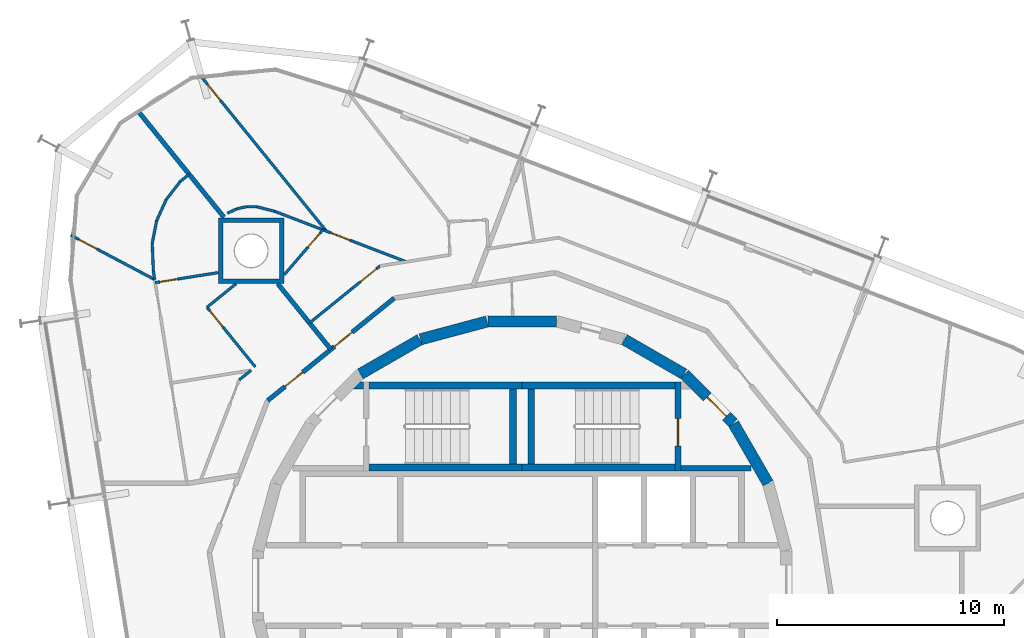
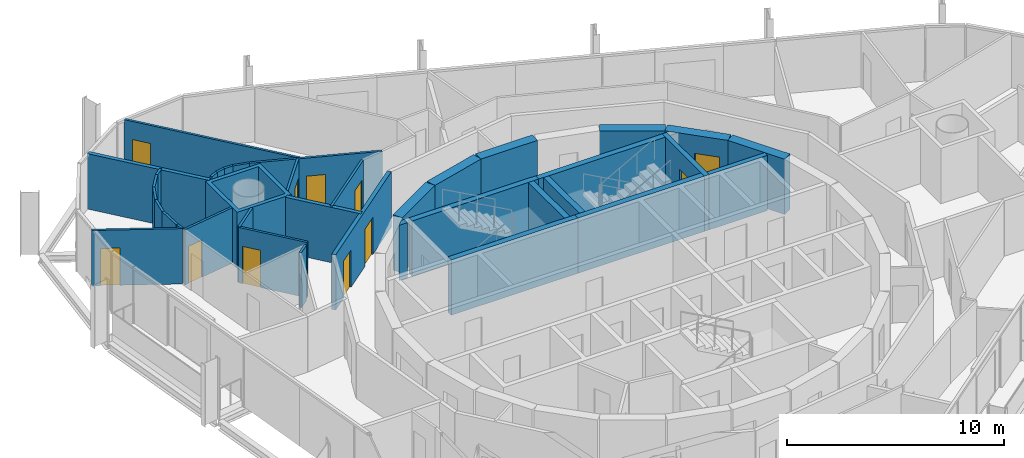
# One storey, part 15 of 18: 38 walls, 11 doors, 11 openings.
"""IFC4 building model written with IfcOpenShell, lengths in metres."""

from ifc_helpers import new_model, si_unit, direction, frame, frame_2d, origin, place, context, subcontext, project, spatial, polyline, rectangle, outline, extrude, material, layer, layer_set, type_object, element, fill, save


model = new_model("IFC4")

# Units and contexts
model_context = context("Model", 3, precision=1e-05, world=origin(), true_north=direction((0.0, 1.0)))
body_context = subcontext(model_context, "Body", "Model", "MODEL_VIEW")
ifc_project = project(units=[si_unit("LENGTHUNIT", "METRE"), si_unit("AREAUNIT", "SQUARE_METRE"), si_unit("VOLUMEUNIT", "CUBIC_METRE"), si_unit("PLANEANGLEUNIT", "RADIAN"), si_unit("MASSUNIT", "GRAM", prefix="KILO")], contexts=[model_context])

# Site, building, storey
site_placement = place(None, origin())
site = spatial("IfcSite", under=ifc_project, at=site_placement, CompositionType="ELEMENT")
building_placement = place(site_placement, origin())
building = spatial("IfcBuilding", under=site, at=building_placement, Name="Spindle Arch Residences", CompositionType="ELEMENT")
storey_placement = place(building_placement, frame((0.0, 0.0, 280.89990234375)))
storey = spatial("IfcBuildingStorey", under=building, at=storey_placement, Name="L72", CompositionType="ELEMENT", Elevation=280.89990234375)

# Wall
ifc_material_1 = material(Name="Concrete C50/60", Category="concrete")
ifc_layer_1 = layer(ifc_material_1, 0.5)
ifc_layer_set_1 = layer_set([ifc_layer_1], Name="Core outline wall 500")
wall_type_1 = type_object("IfcWallType", Name="Core outline wall 500", PredefinedType="SHEAR", material=ifc_layer_set_1)
wall_1_placement = place(storey_placement, frame((10.84521484375, 4.510498046875, 0.0), z_axis=(0.0, 0.0, 1.0), x_axis=(-0.500087131594, 0.865975092491, 0.0)))
element("IfcWall", 1, at=wall_1_placement, inside=storey, type_object=wall_type_1, Name="Core outline wall 8", PredefinedType="SHEAR", context=body_context, shape_type="SweptSolid", body=[
    extrude(rectangle(XDim=3.03271484375, YDim=0.5, at=frame_2d((1.516357421875, 0.0))), origin(), (0.0, 0.0, 1.0), 3.1201171875),
])

# Wall, opening, door
wall_2_placement = place(storey_placement, frame((9.30810546875, 7.163818359375, 0.0), z_axis=(0.0, 0.0, 1.0), x_axis=(-0.707106781187, 0.707106781187, 0.0)))
wall_2 = element("IfcWall", 2, at=wall_2_placement, inside=storey, type_object=wall_type_1, Name="Core outline wall 9", PredefinedType="SHEAR", context=body_context, shape_type="SweptSolid", body=[
    extrude(rectangle(XDim=3.032470703125, YDim=0.5, at=frame_2d((1.51611328125, 0.0))), origin(), (0.0, 0.0, 1.0), 3.1201171875),
])
opening_1_placement = place(wall_2_placement, frame((0.416259765625, 0.0, 0.0)))
opening_1 = element("IfcOpeningElement", 3, at=opening_1_placement, cuts=wall_2, Name="Opening R7B1-AD01", PredefinedType="OPENING", context=body_context, shape_type="SweptSolid", body=[
    extrude(rectangle(XDim=1.199951171875, YDim=2.10009765625, at=frame_2d((0.60009765625, 1.050048828125))), frame((0.0, 0.260009765625, 0.0), z_axis=(0.0, -1.0, 0.0), x_axis=(1.0, 0.0, 0.0)), (0.0, 0.0, 1.0), 0.52001953125),
])
ifc_material_2 = material(Name="Steel, fire-resisting door", Category="steel")
door_type_1 = type_object("IfcDoorType", Name="Stair airlock door 1200x2100", OperationType="SINGLE_SWING_LEFT", PredefinedType="DOOR", material=ifc_material_2)
door_1_placement = place(opening_1_placement, origin())
door_1 = element("IfcDoor", 4, at=door_1_placement, inside=storey, type_object=door_type_1, Name="Stair airlock door R7B1-AD01", OperationType="SINGLE_SWING_RIGHT", OverallHeight=2.10009765625, OverallWidth=1.199951171875, PredefinedType="DOOR", context=body_context, shape_type="SweptSolid", body=[
    extrude(rectangle(XDim=1.199951171875, YDim=2.10009765625, at=frame_2d((0.60009765625, 1.050048828125))), frame((0.0, 0.02490234375, 0.0), z_axis=(0.0, -1.0, 0.0), x_axis=(1.0, 0.0, 0.0)), (0.0, 0.0, 1.0), 0.050048828125),
])
fill(opening_1, door_1)

# Walls
for number, where, z_axis, x_axis, name in (
    (5, (7.13671875, 9.32861328125, 0.0), (0.0, 0.0, 1.0), (-0.865975092491, 0.500087131594, 0.0), "Core outline wall 10"),
    (6, (1.516357421875, 11.647216796875, 0.0), (0.0, 0.0, 1.0), (-1.0, 0.0, 0.0), "Core outline wall 12"),
    (7, (-1.5498046875, 11.642822265625, 0.0), (0.0, 0.0, 1.0), (-0.965948410781, -0.258734743916, 0.0), "Core outline wall 13"),
    (8, (-4.510498046875, 10.84521484375, 0.0), (0.0, 0.0, 1.0), (-0.865975092491, -0.500087131594, 0.0), "Core outline wall 14"),
):
    element("IfcWall", number, at=place(storey_placement, frame(where, z_axis=z_axis, x_axis=x_axis)), inside=storey, type_object=wall_type_1, Name=name, PredefinedType="SHEAR", context=body_context, shape_type="SweptSolid", body=[
        extrude(rectangle(XDim=3.03271484375, YDim=0.5, at=frame_2d((1.516357421875, 0.0))), origin(), (0.0, 0.0, 1.0), 3.1201171875),
    ])

# Wall, openings, doors
ifc_material_3 = material(Name="Calcium silicate block, plastered")
ifc_layer_2 = layer(ifc_material_3, 0.199951171875)
ifc_layer_set_2 = layer_set([ifc_layer_2], Name="Corridor wall 200")
wall_type_2 = type_object("IfcWallType", Name="Corridor wall 200", PredefinedType="STANDARD", material=ifc_layer_set_2)
wall_3_placement = place(storey_placement, frame((-5.642578125, 12.67333984375, 0.0), z_axis=(0.0, 0.0, 1.0), x_axis=(-0.777160148113, -0.629302871585, 0.0)))
wall_3 = element("IfcWall", 9, at=wall_3_placement, inside=storey, type_object=wall_type_2, Name="Corridor wall R7B1-W011", PredefinedType="STANDARD", context=body_context, shape_type="SweptSolid", body=[
    extrude(rectangle(XDim=7.180908203125, YDim=0.199951171875, at=frame_2d((3.59033203125, 0.0))), origin(), (0.0, 0.0, 1.0), 3.1201171875),
])
opening_2_placement = place(wall_3_placement, frame((2.390380859375, 0.0, 0.0)))
opening_2 = element("IfcOpeningElement", 10, at=opening_2_placement, cuts=wall_3, Name="Opening R7B1-FD02", PredefinedType="OPENING", context=body_context, shape_type="SweptSolid", body=[
    extrude(rectangle(XDim=1.0, YDim=2.10009765625, at=frame_2d((0.5, 1.050048828125))), frame((0.0, 0.10986328125, 0.0), z_axis=(0.0, -1.0, 0.0), x_axis=(1.0, 0.0, 0.0)), (0.0, 0.0, 1.0), 0.219970703125),
])
opening_3_placement = place(wall_3_placement, frame((5.191650390625, 0.0, 0.0)))
opening_3 = element("IfcOpeningElement", 11, at=opening_3_placement, cuts=wall_3, Name="Opening R7B1-FD03", PredefinedType="OPENING", context=body_context, shape_type="SweptSolid", body=[
    extrude(rectangle(XDim=1.0, YDim=2.10009765625, at=frame_2d((0.5, 1.050048828125))), frame((0.0, 0.10986328125, 0.0), z_axis=(0.0, -1.0, 0.0), x_axis=(1.0, 0.0, 0.0)), (0.0, 0.0, 1.0), 0.219970703125),
])
ifc_material_4 = material(Name="Timber, fire-resisting door set", Category="wood")
door_type_2 = type_object("IfcDoorType", Name="Flat entrance door 1000x2100", OperationType="NOTDEFINED", PredefinedType="DOOR", material=ifc_material_4)
door_2_placement = place(opening_2_placement, origin())
door_2 = element("IfcDoor", 12, at=door_2_placement, inside=storey, type_object=door_type_2, Name="Flat entrance door R7B1-FD02", OperationType="SINGLE_SWING_RIGHT", OverallHeight=2.10009765625, OverallWidth=1.0, PredefinedType="DOOR", context=body_context, shape_type="SweptSolid", body=[
    extrude(rectangle(XDim=1.0, YDim=2.10009765625, at=frame_2d((0.5, 1.050048828125))), frame((0.0, 0.02490234375, 0.0), z_axis=(0.0, -1.0, 0.0), x_axis=(1.0, 0.0, 0.0)), (0.0, 0.0, 1.0), 0.050048828125),
])
fill(opening_2, door_2)
door_3_placement = place(opening_3_placement, origin())
door_3 = element("IfcDoor", 13, at=door_3_placement, inside=storey, type_object=door_type_2, Name="Flat entrance door R7B1-FD03", OperationType="SINGLE_SWING_LEFT", OverallHeight=2.10009765625, OverallWidth=1.0, PredefinedType="DOOR", context=body_context, shape_type="SweptSolid", body=[
    extrude(rectangle(XDim=1.0, YDim=2.10009765625, at=frame_2d((0.5, 1.050048828125))), frame((0.0, 0.02490234375, 0.0), z_axis=(0.0, -1.0, 0.0), x_axis=(1.0, 0.0, 0.0)), (0.0, 0.0, 1.0), 0.050048828125),
])
fill(opening_3, door_3)

# Wall, opening, door
ifc_material_5 = material(Name="Plasterboard on steel studs", Category="steel")
ifc_layer_3 = layer(ifc_material_5, 0.1201171875)
ifc_layer_set_3 = layer_set([ifc_layer_3], Name="Flat partition 120")
wall_type_3 = type_object("IfcWallType", Name="Flat partition 120", PredefinedType="PARTITIONING", material=ifc_layer_set_3)
wall_4_placement = place(storey_placement, frame((-6.274169921875, 14.092041015625, 0.0), z_axis=(0.0, 0.0, 1.0), x_axis=(-0.777162268892, -0.629300252511, 0.0)))
wall_4 = element("IfcWall", 14, at=wall_4_placement, inside=storey, type_object=wall_type_3, Name="Flat partition R7B1-W045", PredefinedType="PARTITIONING", context=body_context, shape_type="SweptSolid", body=[
    extrude(rectangle(XDim=3.992431640625, YDim=0.1201171875, at=frame_2d((1.99609375, 0.0))), origin(), (0.0, 0.0, 1.0), 3.1201171875),
])
opening_4_placement = place(wall_4_placement, frame((0.199951171875, 0.0, 0.0)))
opening_4 = element("IfcOpeningElement", 15, at=opening_4_placement, cuts=wall_4, Name="Opening R7B1-ID07", PredefinedType="OPENING", context=body_context, shape_type="SweptSolid", body=[
    extrude(rectangle(XDim=0.89990234375, YDim=2.10009765625, at=frame_2d((0.449951171875, 1.050048828125))), frame((0.0, 0.070068359375, 0.0), z_axis=(0.0, -1.0, 0.0), x_axis=(1.0, 0.0, 0.0)), (0.0, 0.0, 1.0), 0.14013671875),
])
ifc_material_6 = material(Name="Timber door set", Category="wood")
door_type_3 = type_object("IfcDoorType", Name="Room door 900x2100", OperationType="NOTDEFINED", PredefinedType="DOOR", material=ifc_material_6)
door_4_placement = place(opening_4_placement, origin())
door_4 = element("IfcDoor", 16, at=door_4_placement, inside=storey, type_object=door_type_3, Name="Room door R7B1-ID07", OperationType="SINGLE_SWING_RIGHT", OverallHeight=2.10009765625, OverallWidth=0.89990234375, PredefinedType="DOOR", context=body_context, shape_type="SweptSolid", body=[
    extrude(rectangle(XDim=0.89990234375, YDim=2.10009765625, at=frame_2d((0.449951171875, 1.050048828125))), frame((0.0, 0.02490234375, 0.0), z_axis=(0.0, -1.0, 0.0), x_axis=(1.0, 0.0, 0.0)), (0.0, 0.0, 1.0), 0.050048828125),
])
fill(opening_4, door_4)

wall_5_placement = place(storey_placement, frame((-10.909912109375, 16.50244140625, 0.0), z_axis=(0.0, 0.0, 1.0), x_axis=(0.933584453869, -0.358357457707, 0.0)))
wall_5 = element("IfcWall", 17, at=wall_5_placement, inside=storey, type_object=wall_type_3, Name="Flat partition R7B1-W047", PredefinedType="PARTITIONING", context=body_context, shape_type="SweptSolid", body=[
    extrude(rectangle(XDim=6.2119140625, YDim=0.1201171875, at=frame_2d((3.10595703125, 0.0))), origin(), (0.0, 0.0, 1.0), 3.1201171875),
])
opening_5_placement = place(wall_5_placement, frame((2.657470703125, 0.0, 0.0)))
opening_5 = element("IfcOpeningElement", 18, at=opening_5_placement, cuts=wall_5, Name="Opening R7B1-ID09", PredefinedType="OPENING", context=body_context, shape_type="SweptSolid", body=[
    extrude(rectangle(XDim=0.89990234375, YDim=2.10009765625, at=frame_2d((0.449951171875, 1.050048828125))), frame((0.0, 0.070068359375, 0.0), z_axis=(0.0, -1.0, 0.0), x_axis=(1.0, 0.0, 0.0)), (0.0, 0.0, 1.0), 0.14013671875),
])
door_5_placement = place(opening_5_placement, origin())
door_5 = element("IfcDoor", 19, at=door_5_placement, inside=storey, type_object=door_type_3, Name="Room door R7B1-ID09", OperationType="SINGLE_SWING_LEFT", OverallHeight=2.10009765625, OverallWidth=0.89990234375, PredefinedType="DOOR", context=body_context, shape_type="SweptSolid", body=[
    extrude(rectangle(XDim=0.89990234375, YDim=2.10009765625, at=frame_2d((0.449951171875, 1.050048828125))), frame((0.0, 0.02490234375, 0.0), z_axis=(0.0, -1.0, 0.0), x_axis=(1.0, 0.0, 0.0)), (0.0, 0.0, 1.0), 0.050048828125),
])
fill(opening_5, door_5)

wall_6_placement = place(storey_placement, frame((-14.1318359375, 22.417724609375, 0.0), z_axis=(0.0, 0.0, 1.0), x_axis=(0.629309172704, -0.77715504576, 0.0)))
wall_6 = element("IfcWall", 20, at=wall_6_placement, inside=storey, type_object=wall_type_3, Name="Flat partition R7B1-W048", PredefinedType="PARTITIONING", context=body_context, shape_type="SweptSolid", body=[
    extrude(rectangle(XDim=8.735595703125, YDim=0.1201171875, at=frame_2d((4.36767578125, 0.0))), origin(), (0.0, 0.0, 1.0), 3.1201171875),
])
opening_6_placement = place(wall_6_placement, frame((0.39990234375, 0.0, 0.0)))
opening_6 = element("IfcOpeningElement", 21, at=opening_6_placement, cuts=wall_6, Name="Opening R7B1-ID08", PredefinedType="OPENING", context=body_context, shape_type="SweptSolid", body=[
    extrude(rectangle(XDim=0.89990234375, YDim=2.10009765625, at=frame_2d((0.449951171875, 1.050048828125))), frame((0.0, 0.070068359375, 0.0), z_axis=(0.0, -1.0, 0.0), x_axis=(1.0, 0.0, 0.0)), (0.0, 0.0, 1.0), 0.14013671875),
])
door_6_placement = place(opening_6_placement, origin())
door_6 = element("IfcDoor", 22, at=door_6_placement, inside=storey, type_object=door_type_3, Name="Room door R7B1-ID08", OperationType="SINGLE_SWING_RIGHT", OverallHeight=2.10009765625, OverallWidth=0.89990234375, PredefinedType="DOOR", context=body_context, shape_type="SweptSolid", body=[
    extrude(rectangle(XDim=0.89990234375, YDim=2.10009765625, at=frame_2d((0.449951171875, 1.050048828125))), frame((0.0, 0.02490234375, 0.0), z_axis=(0.0, -1.0, 0.0), x_axis=(1.0, 0.0, 0.0)), (0.0, 0.0, 1.0), 0.050048828125),
])
fill(opening_6, door_6)

wall_7_placement = place(storey_placement, frame((-8.788330078125, 15.68798828125, 0.0), z_axis=(0.0, 0.0, 1.0), x_axis=(-0.652090514391, -0.758141122115, 0.0)))
wall_7 = element("IfcWall", 23, at=wall_7_placement, inside=storey, type_object=wall_type_3, Name="Flat partition R7B1-W049", PredefinedType="PARTITIONING", context=body_context, shape_type="SweptSolid", body=[
    extrude(rectangle(XDim=2.62890625, YDim=0.1201171875, at=frame_2d((1.314453125, 0.0))), origin(), (0.0, 0.0, 1.0), 3.1201171875),
])
opening_7_placement = place(wall_7_placement, frame((0.199951171875, 0.0, 0.0)))
opening_7 = element("IfcOpeningElement", 24, at=opening_7_placement, cuts=wall_7, Name="Opening R7B1-BD02", PredefinedType="OPENING", context=body_context, shape_type="SweptSolid", body=[
    extrude(rectangle(XDim=0.800048828125, YDim=2.10009765625, at=frame_2d((0.39990234375, 1.050048828125))), frame((0.0, 0.070068359375, 0.0), z_axis=(0.0, -1.0, 0.0), x_axis=(1.0, 0.0, 0.0)), (0.0, 0.0, 1.0), 0.14013671875),
])
ifc_material_7 = material(Name="Timber door set", Category="wood")
door_type_4 = type_object("IfcDoorType", Name="Bathroom door 800x2100", OperationType="NOTDEFINED", PredefinedType="DOOR", material=ifc_material_7)
door_7_placement = place(opening_7_placement, origin())
door_7 = element("IfcDoor", 25, at=door_7_placement, inside=storey, type_object=door_type_4, Name="Bathroom door R7B1-BD02", OperationType="SINGLE_SWING_RIGHT", OverallHeight=2.10009765625, OverallWidth=0.800048828125, PredefinedType="DOOR", context=body_context, shape_type="SweptSolid", body=[
    extrude(rectangle(XDim=0.800048828125, YDim=2.10009765625, at=frame_2d((0.39990234375, 1.050048828125))), frame((0.0, 0.02490234375, 0.0), z_axis=(0.0, -1.0, 0.0), x_axis=(1.0, 0.0, 0.0)), (0.0, 0.0, 1.0), 0.050048828125),
])
fill(opening_7, door_7)

# Walls
wall_8_placement = place(storey_placement, frame((-10.909912109375, 16.50244140625, 0.0), z_axis=(0.0, 0.0, 1.0), x_axis=(-0.96886520615, 0.247588796823, 0.0)))
element("IfcWall", 26, at=wall_8_placement, inside=storey, type_object=wall_type_3, Name="Flat partition R7B1-W050", PredefinedType="PARTITIONING", context=body_context, shape_type="SweptSolid", body=[
    extrude(rectangle(XDim=0.806640625, YDim=0.1201171875, at=frame_2d((0.4033203125, 0.0))), origin(), (0.0, 0.0, 1.0), 3.1201171875),
])
wall_9_placement = place(storey_placement, frame((-11.69140625, 16.7021484375, 0.0), z_axis=(0.0, 0.0, 1.0), x_axis=(-0.999843155249, 0.017710587291, 0.0)))
element("IfcWall", 27, at=wall_9_placement, inside=storey, type_object=wall_type_3, Name="Flat partition R7B1-W051", PredefinedType="PARTITIONING", context=body_context, shape_type="SweptSolid", body=[
    extrude(rectangle(XDim=0.454833984375, YDim=0.1201171875, at=frame_2d((0.2275390625, 0.0))), origin(), (0.0, 0.0, 1.0), 3.1201171875),
])
wall_10_placement = place(storey_placement, frame((-12.146240234375, 16.710205078125, 0.0), z_axis=(0.0, 0.0, 1.0), x_axis=(-0.976826470165, -0.21403281801, 0.0)))
element("IfcWall", 28, at=wall_10_placement, inside=storey, type_object=wall_type_3, Name="Flat partition R7B1-W052", PredefinedType="PARTITIONING", context=body_context, shape_type="SweptSolid", body=[
    extrude(rectangle(XDim=0.455078125, YDim=0.1201171875, at=frame_2d((0.2275390625, 0.0))), origin(), (0.0, 0.0, 1.0), 3.1201171875),
])
wall_11_placement = place(storey_placement, frame((-12.5908203125, 16.61279296875, 0.0), z_axis=(0.0, 0.0, 1.0), x_axis=(-0.901405666701, -0.432975546699, 0.0)))
element("IfcWall", 29, at=wall_11_placement, inside=storey, type_object=wall_type_3, Name="Flat partition R7B1-W053", PredefinedType="PARTITIONING", context=body_context, shape_type="SweptSolid", body=[
    extrude(rectangle(XDim=0.45458984375, YDim=0.1201171875, at=frame_2d((0.227294921875, 0.0))), origin(), (0.0, 0.0, 1.0), 3.1201171875),
])
wall_12_placement = place(storey_placement, frame((-12.616455078125, 13.310546875, 0.0), z_axis=(0.0, 0.0, 1.0), x_axis=(-0.7771657422, -0.629295963082, 0.0)))
element("IfcWall", 30, at=wall_12_placement, inside=storey, type_object=wall_type_3, Name="Flat partition R7B1-W054", PredefinedType="PARTITIONING", context=body_context, shape_type="SweptSolid", body=[
    extrude(rectangle(XDim=1.652587890625, YDim=0.1201171875, at=frame_2d((0.826171875, 0.0))), origin(), (0.0, 0.0, 1.0), 3.1201171875),
])

# Wall, opening, door
wall_13_placement = place(storey_placement, frame((-13.90087890625, 12.2705078125, 0.0), z_axis=(0.0, 0.0, 1.0), x_axis=(0.62932066967, -0.777145735835, 0.0)))
wall_13 = element("IfcWall", 31, at=wall_13_placement, inside=storey, type_object=wall_type_3, Name="Flat partition R7B1-W055", PredefinedType="PARTITIONING", context=body_context, shape_type="SweptSolid", body=[
    extrude(rectangle(XDim=3.384033203125, YDim=0.1201171875, at=frame_2d((1.69189453125, 0.0))), origin(), (0.0, 0.0, 1.0), 3.1201171875),
])
opening_8_placement = place(wall_13_placement, frame((0.199951171875, 0.0, 0.0)))
opening_8 = element("IfcOpeningElement", 32, at=opening_8_placement, cuts=wall_13, Name="Opening R7B1-ID10", PredefinedType="OPENING", context=body_context, shape_type="SweptSolid", body=[
    extrude(rectangle(XDim=0.89990234375, YDim=2.10009765625, at=frame_2d((0.449951171875, 1.050048828125))), frame((0.0, 0.070068359375, 0.0), z_axis=(0.0, -1.0, 0.0), x_axis=(1.0, 0.0, 0.0)), (0.0, 0.0, 1.0), 0.14013671875),
])
door_8_placement = place(opening_8_placement, origin())
door_8 = element("IfcDoor", 33, at=door_8_placement, inside=storey, type_object=door_type_3, Name="Room door R7B1-ID10", OperationType="SINGLE_SWING_LEFT", OverallHeight=2.10009765625, OverallWidth=0.89990234375, PredefinedType="DOOR", context=body_context, shape_type="SweptSolid", body=[
    extrude(rectangle(XDim=0.89990234375, YDim=2.10009765625, at=frame_2d((0.449951171875, 1.050048828125))), frame((0.0, 0.02490234375, 0.0), z_axis=(0.0, -1.0, 0.0), x_axis=(1.0, 0.0, 0.0)), (0.0, 0.0, 1.0), 0.050048828125),
])
fill(opening_8, door_8)

# Walls
wall_14_placement = place(storey_placement, frame((-11.960205078125, 9.4873046875, 0.0), z_axis=(0.0, 0.0, 1.0), x_axis=(-0.777219341678, -0.62922976322, 0.0)))
element("IfcWall", 34, at=wall_14_placement, inside=storey, type_object=wall_type_3, Name="Flat partition R7B1-W056", PredefinedType="PARTITIONING", context=body_context, shape_type="SweptSolid", body=[
    extrude(rectangle(XDim=0.668212890625, YDim=0.1201171875, at=frame_2d((0.333984375, 0.0))), origin(), (0.0, 0.0, 1.0), 3.1201171875),
])
wall_15_placement = place(storey_placement, frame((-14.687744140625, 18.137939453125, 0.0), z_axis=(0.0, 0.0, 1.0), x_axis=(-0.777009819755, -0.629488474879, 0.0)))
element("IfcWall", 35, at=wall_15_placement, inside=storey, type_object=wall_type_3, Name="Flat partition R7B1-W058", PredefinedType="PARTITIONING", context=body_context, shape_type="SweptSolid", body=[
    extrude(rectangle(XDim=0.508056640625, YDim=0.1201171875, at=frame_2d((0.25390625, 0.0))), origin(), (0.0, 0.0, 1.0), 3.1201171875),
])
wall_16_placement = place(storey_placement, frame((-15.08251953125, 17.818115234375, 0.0), z_axis=(0.0, 0.0, 1.0), x_axis=(-0.611091802574, -0.791559731686, 0.0)))
element("IfcWall", 36, at=wall_16_placement, inside=storey, type_object=wall_type_3, Name="Flat partition R7B1-W059", PredefinedType="PARTITIONING", context=body_context, shape_type="SweptSolid", body=[
    extrude(rectangle(XDim=1.015869140625, YDim=0.1201171875, at=frame_2d((0.5078125, 0.0))), origin(), (0.0, 0.0, 1.0), 3.1201171875),
])
wall_17_placement = place(storey_placement, frame((-15.703369140625, 17.013916015625, 0.0), z_axis=(0.0, 0.0, 1.0), x_axis=(-0.411973085874, -0.911196014322, 0.0)))
element("IfcWall", 37, at=wall_17_placement, inside=storey, type_object=wall_type_3, Name="Flat partition R7B1-W060", PredefinedType="PARTITIONING", context=body_context, shape_type="SweptSolid", body=[
    extrude(rectangle(XDim=1.015625, YDim=0.1201171875, at=frame_2d((0.5078125, 0.0))), origin(), (0.0, 0.0, 1.0), 3.1201171875),
])
wall_18_placement = place(storey_placement, frame((-16.121826171875, 16.08837890625, 0.0), z_axis=(0.0, 0.0, 1.0), x_axis=(-0.191030445301, -0.981584112019, 0.0)))
element("IfcWall", 38, at=wall_18_placement, inside=storey, type_object=wall_type_3, Name="Flat partition R7B1-W061", PredefinedType="PARTITIONING", context=body_context, shape_type="SweptSolid", body=[
    extrude(rectangle(XDim=1.01611328125, YDim=0.1201171875, at=frame_2d((0.508056640625, 0.0))), origin(), (0.0, 0.0, 1.0), 3.1201171875),
])
wall_19_placement = place(storey_placement, frame((-16.31591796875, 15.091064453125, 0.0), z_axis=(0.0, 0.0, 1.0), x_axis=(0.040786423131, -0.999167887639, 0.0)))
element("IfcWall", 39, at=wall_19_placement, inside=storey, type_object=wall_type_3, Name="Flat partition R7B1-W062", PredefinedType="PARTITIONING", context=body_context, shape_type="SweptSolid", body=[
    extrude(rectangle(XDim=1.22705078125, YDim=0.1201171875, at=frame_2d((0.613525390625, 0.0))), origin(), (0.0, 0.0, 1.0), 3.1201171875),
])
wall_20_placement = place(storey_placement, frame((-16.265869140625, 13.864990234375, 0.0), z_axis=(0.0, 0.0, 1.0), x_axis=(0.156757556272, -0.987637113798, 0.0)))
element("IfcWall", 40, at=wall_20_placement, inside=storey, type_object=wall_type_3, Name="Flat partition R7B1-W063", PredefinedType="PARTITIONING", context=body_context, shape_type="SweptSolid", body=[
    extrude(rectangle(XDim=0.37841796875, YDim=0.1201171875, at=frame_2d((0.189208984375, 0.0))), origin(), (0.0, 0.0, 1.0), 3.1201171875),
])

# Wall, opening, door
wall_21_placement = place(storey_placement, frame((-16.185791015625, 13.359375, 0.0), z_axis=(0.0, 0.0, 1.0), x_axis=(0.987680631298, 0.156483131865, 0.0)))
wall_21 = element("IfcWall", 41, at=wall_21_placement, inside=storey, type_object=wall_type_3, Name="Flat partition R7B1-W064", PredefinedType="PARTITIONING", context=body_context, shape_type="SweptSolid", body=[
    extrude(rectangle(XDim=2.817626953125, YDim=0.1201171875, at=frame_2d((1.40869140625, 0.0))), origin(), (0.0, 0.0, 1.0), 3.1201171875),
])
opening_9_placement = place(wall_21_placement, frame((0.199951171875, 0.0, 0.0)))
opening_9 = element("IfcOpeningElement", 42, at=opening_9_placement, cuts=wall_21, Name="Opening R7B1-BD03", PredefinedType="OPENING", context=body_context, shape_type="SweptSolid", body=[
    extrude(rectangle(XDim=0.800048828125, YDim=2.10009765625, at=frame_2d((0.39990234375, 1.050048828125))), frame((0.0, 0.070068359375, 0.0), z_axis=(0.0, -1.0, 0.0), x_axis=(1.0, 0.0, 0.0)), (0.0, 0.0, 1.0), 0.14013671875),
])
door_9_placement = place(opening_9_placement, origin())
door_9 = element("IfcDoor", 43, at=door_9_placement, inside=storey, type_object=door_type_4, Name="Bathroom door R7B1-BD03", OperationType="SINGLE_SWING_LEFT", OverallHeight=2.10009765625, OverallWidth=0.800048828125, PredefinedType="DOOR", context=body_context, shape_type="SweptSolid", body=[
    extrude(rectangle(XDim=0.800048828125, YDim=2.10009765625, at=frame_2d((0.39990234375, 1.050048828125))), frame((0.0, 0.02490234375, 0.0), z_axis=(0.0, -1.0, 0.0), x_axis=(1.0, 0.0, 0.0)), (0.0, 0.0, 1.0), 0.050048828125),
])
fill(opening_9, door_9)

wall_22_placement = place(storey_placement, frame((-19.91259765625, 15.45361328125, 0.0), z_axis=(0.0, 0.0, 1.0), x_axis=(0.883751094582, -0.467957266024, 0.0)))
wall_22 = element("IfcWall", 44, at=wall_22_placement, inside=storey, type_object=wall_type_3, Name="Flat partition R7B1-W065", PredefinedType="PARTITIONING", context=body_context, shape_type="SweptSolid", body=[
    extrude(rectangle(XDim=4.193603515625, YDim=0.1201171875, at=frame_2d((2.0966796875, 0.0))), origin(), (0.0, 0.0, 1.0), 3.1201171875),
])
opening_10_placement = place(wall_22_placement, frame((0.39990234375, 0.0, 0.0)))
opening_10 = element("IfcOpeningElement", 45, at=opening_10_placement, cuts=wall_22, Name="Opening R7B1-ID13", PredefinedType="OPENING", context=body_context, shape_type="SweptSolid", body=[
    extrude(rectangle(XDim=0.89990234375, YDim=2.10009765625, at=frame_2d((0.449951171875, 1.050048828125))), frame((0.0, 0.070068359375, 0.0), z_axis=(0.0, -1.0, 0.0), x_axis=(1.0, 0.0, 0.0)), (0.0, 0.0, 1.0), 0.14013671875),
])
door_10_placement = place(opening_10_placement, origin())
door_10 = element("IfcDoor", 46, at=door_10_placement, inside=storey, type_object=door_type_3, Name="Room door R7B1-ID13", OperationType="SINGLE_SWING_LEFT", OverallHeight=2.10009765625, OverallWidth=0.89990234375, PredefinedType="DOOR", context=body_context, shape_type="SweptSolid", body=[
    extrude(rectangle(XDim=0.89990234375, YDim=2.10009765625, at=frame_2d((0.449951171875, 1.050048828125))), frame((0.0, 0.02490234375, 0.0), z_axis=(0.0, -1.0, 0.0), x_axis=(1.0, 0.0, 0.0)), (0.0, 0.0, 1.0), 0.050048828125),
])
fill(opening_10, door_10)

# Walls
ifc_material_8 = material(Name="Calcium silicate block, plastered")
ifc_layer_4 = layer(ifc_material_8, 0.199951171875)
ifc_layer_set_4 = layer_set([ifc_layer_4], Name="Flat party wall 200")
wall_type_4 = type_object("IfcWallType", Name="Flat party wall 200", PredefinedType="STANDARD", material=ifc_layer_set_4)
wall_23_placement = place(storey_placement, frame((-10.779296875, 13.309814453125, 0.0), z_axis=(0.0, 0.0, 1.0), x_axis=(0.62931692753, -0.777148766147, 0.0)))
element("IfcWall", 47, at=wall_23_placement, inside=storey, type_object=wall_type_4, Name="Flat party wall R7B1-W025", PredefinedType="STANDARD", context=body_context, shape_type="SweptSolid", body=[
    extrude(rectangle(XDim=3.727294921875, YDim=0.199951171875, at=frame_2d((1.86376953125, 0.0))), origin(), (0.0, 0.0, 1.0), 3.1201171875),
])
wall_24_placement = place(storey_placement, frame((-16.953369140625, 20.935546875, 0.0), z_axis=(0.0, 0.0, 1.0), x_axis=(0.629347053134, -0.77712437017, 0.0)))
element("IfcWall", 48, at=wall_24_placement, inside=storey, type_object=wall_type_4, Name="Flat party wall R7B1-W026", PredefinedType="STANDARD", context=body_context, shape_type="SweptSolid", body=[
    extrude(rectangle(XDim=6.0400390625, YDim=0.199951171875, at=frame_2d((3.02001953125, 0.0))), origin(), (0.0, 0.0, 1.0), 3.1201171875),
])
ifc_material_9 = material(Name="Calcium silicate block, plastered")
ifc_layer_5 = layer(ifc_material_9, 0.199951171875)
ifc_layer_set_5 = layer_set([ifc_layer_5], Name="Mega-column casing wall 200")
wall_type_5 = type_object("IfcWallType", Name="Mega-column casing wall 200", PredefinedType="STANDARD", material=ifc_layer_set_5)
wall_25_placement = place(storey_placement, origin())
element("IfcWall", 49, at=wall_25_placement, inside=storey, type_object=wall_type_5, Name="Mega-column casing wall R7B1-WC02", PredefinedType="STANDARD", context=body_context, shape_type="SweptSolid", body=[
    extrude(outline(polyline([(-10.502685546875, 16.21044921875), (-10.502685546875, 13.310546875), (-13.40283203125, 13.310546875), (-13.40283203125, 16.21044921875), (-10.502685546875, 16.21044921875)]), holes=[polyline([(-13.202880859375, 13.510498046875), (-10.702880859375, 13.510498046875), (-10.702880859375, 16.010498046875), (-13.202880859375, 16.010498046875), (-13.202880859375, 13.510498046875)])]), origin(), (0.0, 0.0, 1.0), 3.1201171875),
])
ifc_material_10 = material(Name="Concrete C40/50", Category="concrete")
ifc_layer_6 = layer(ifc_material_10, 0.25)
ifc_layer_set_6 = layer_set([ifc_layer_6], Name="Stair airlock wall 250")
wall_type_6 = type_object("IfcWallType", Name="Stair airlock wall 250", PredefinedType="SHEAR", material=ifc_layer_set_6)
wall_26_placement = place(storey_placement, frame((7.0, 5.175048828125, 0.0), z_axis=(0.0, 0.0, 1.0), x_axis=(1.0, 0.0, 0.0)))
element("IfcWall", 50, at=wall_26_placement, inside=storey, type_object=wall_type_6, Name="Stair ST-1 airlock wall S", PredefinedType="SHEAR", context=body_context, shape_type="SweptSolid", body=[
    extrude(rectangle(XDim=3.10009765625, YDim=0.25, at=frame_2d((1.550048828125, 0.0))), origin(), (0.0, 0.0, 1.0), 3.1201171875),
])
ifc_material_11 = material(Name="Concrete C40/50", Category="concrete")
wall_type_7 = type_object("IfcWallType", Name="Stair airlock wall profile", PredefinedType="SHEAR", material=ifc_material_11)
wall_27_placement = place(storey_placement, origin())
element("IfcWall", 51, at=wall_27_placement, inside=storey, type_object=wall_type_7, Name="Stair ST-2 airlock wall N", PredefinedType="SHEAR", context=body_context, shape_type="SweptSolid", body=[
    extrude(outline(polyline([(-7.148193359375, 8.969970703125), (-7.0, 8.969970703125), (-7.0, 8.669921875), (-7.4482421875, 8.669921875), (-7.148193359375, 8.969970703125)])), origin(), (0.0, 0.0, 1.0), 3.1201171875),
])

# Wall, opening, door
ifc_material_12 = material(Name="Concrete C50/60", Category="concrete")
ifc_layer_7 = layer(ifc_material_12, 0.25)
ifc_layer_set_7 = layer_set([ifc_layer_7], Name="Stair enclosure wall 250")
wall_type_8 = type_object("IfcWallType", Name="Stair enclosure wall 250", PredefinedType="SHEAR", material=ifc_layer_set_7)
wall_28_placement = place(storey_placement, frame((6.875, 5.050048828125, 0.0), z_axis=(0.0, 0.0, 1.0), x_axis=(0.0, 1.0, 0.0)))
wall_28 = element("IfcWall", 52, at=wall_28_placement, inside=storey, type_object=wall_type_8, Name="Stair ST-1 door wall", PredefinedType="SHEAR", context=body_context, shape_type="SweptSolid", body=[
    extrude(rectangle(XDim=3.919921875, YDim=0.25, at=frame_2d((1.9599609375, 0.0))), origin(), (0.0, 0.0, 1.0), 3.1201171875),
])
opening_11_placement = place(wall_28_placement, frame((1.110107421875, 0.0, 0.0)))
opening_11 = element("IfcOpeningElement", 53, at=opening_11_placement, cuts=wall_28, Name="Opening R7B1-SD01", PredefinedType="OPENING", context=body_context, shape_type="SweptSolid", body=[
    extrude(rectangle(XDim=1.199951171875, YDim=2.10009765625, at=frame_2d((0.60009765625, 1.050048828125))), frame((0.0, 0.135009765625, 0.0), z_axis=(0.0, -1.0, 0.0), x_axis=(1.0, 0.0, 0.0)), (0.0, 0.0, 1.0), 0.27001953125),
])
ifc_material_13 = material(Name="Steel, fire-resisting door", Category="steel")
door_type_5 = type_object("IfcDoorType", Name="Stair door 1200x2100", OperationType="SINGLE_SWING_RIGHT", PredefinedType="DOOR", material=ifc_material_13)
door_11_placement = place(opening_11_placement, origin())
door_11 = element("IfcDoor", 54, at=door_11_placement, inside=storey, type_object=door_type_5, Name="Stair door R7B1-SD01", OperationType="SINGLE_SWING_LEFT", OverallHeight=2.10009765625, OverallWidth=1.199951171875, PredefinedType="DOOR", context=body_context, shape_type="SweptSolid", body=[
    extrude(rectangle(XDim=1.199951171875, YDim=2.10009765625, at=frame_2d((0.60009765625, 1.050048828125))), frame((0.0, 0.02490234375, 0.0), z_axis=(0.0, -1.0, 0.0), x_axis=(1.0, 0.0, 0.0)), (0.0, 0.0, 1.0), 0.050048828125),
])
fill(opening_11, door_11)

# Walls
ifc_material_14 = material(Name="Concrete C50/60", Category="concrete")
ifc_layer_8 = layer(ifc_material_14, 0.300048828125)
ifc_layer_set_8 = layer_set([ifc_layer_8], Name="Stair enclosure wall 300")
wall_type_9 = type_object("IfcWallType", Name="Stair enclosure wall 300", PredefinedType="SHEAR", material=ifc_layer_set_8)
for number, where, z_axis, x_axis, name in (
    (55, (0.0, 5.199951171875, 0.0), (0.0, 0.0, 1.0), (1.0, 0.0, 0.0), "Stair ST-1 enclosure wall S"),
    (56, (0.0, 8.820068359375, 0.0), (0.0, 0.0, 1.0), (1.0, 0.0, 0.0), "Stair ST-1 enclosure wall N"),
):
    element("IfcWall", number, at=place(storey_placement, frame(where, z_axis=z_axis, x_axis=x_axis)), inside=storey, type_object=wall_type_9, Name=name, PredefinedType="SHEAR", context=body_context, shape_type="SweptSolid", body=[
        extrude(rectangle(XDim=6.75, YDim=0.300048828125, at=frame_2d((3.375, 0.0))), origin(), (0.0, 0.0, 1.0), 3.1201171875),
    ])
wall_29_placement = place(storey_placement, frame((0.39990234375, 5.35009765625, 0.0), z_axis=(0.0, 0.0, 1.0), x_axis=(0.0, 1.0, 0.0)))
element("IfcWall", 57, at=wall_29_placement, inside=storey, type_object=wall_type_9, Name="Stair ST-1 enclosure wall F", PredefinedType="SHEAR", context=body_context, shape_type="SweptSolid", body=[
    extrude(rectangle(XDim=3.31982421875, YDim=0.300048828125, at=frame_2d((1.659912109375, 0.0))), origin(), (0.0, 0.0, 1.0), 3.1201171875),
])
for number, where, z_axis, x_axis, name in (
    (58, (-6.75, 5.199951171875, 0.0), (0.0, 0.0, 1.0), (1.0, 0.0, 0.0), "Stair ST-2 enclosure wall S"),
    (59, (-6.75, 8.820068359375, 0.0), (0.0, 0.0, 1.0), (1.0, 0.0, 0.0), "Stair ST-2 enclosure wall N"),
):
    element("IfcWall", number, at=place(storey_placement, frame(where, z_axis=z_axis, x_axis=x_axis)), inside=storey, type_object=wall_type_9, Name=name, PredefinedType="SHEAR", context=body_context, shape_type="SweptSolid", body=[
        extrude(rectangle(XDim=6.75, YDim=0.300048828125, at=frame_2d((3.375, 0.0))), origin(), (0.0, 0.0, 1.0), 3.1201171875),
    ])
wall_30_placement = place(storey_placement, frame((-0.39990234375, 5.35009765625, 0.0), z_axis=(0.0, 0.0, 1.0), x_axis=(0.0, 1.0, 0.0)))
element("IfcWall", 60, at=wall_30_placement, inside=storey, type_object=wall_type_9, Name="Stair ST-2 enclosure wall F", PredefinedType="SHEAR", context=body_context, shape_type="SweptSolid", body=[
    extrude(rectangle(XDim=3.31982421875, YDim=0.300048828125, at=frame_2d((1.659912109375, 0.0))), origin(), (0.0, 0.0, 1.0), 3.1201171875),
])

save(model, "model.ifc")
